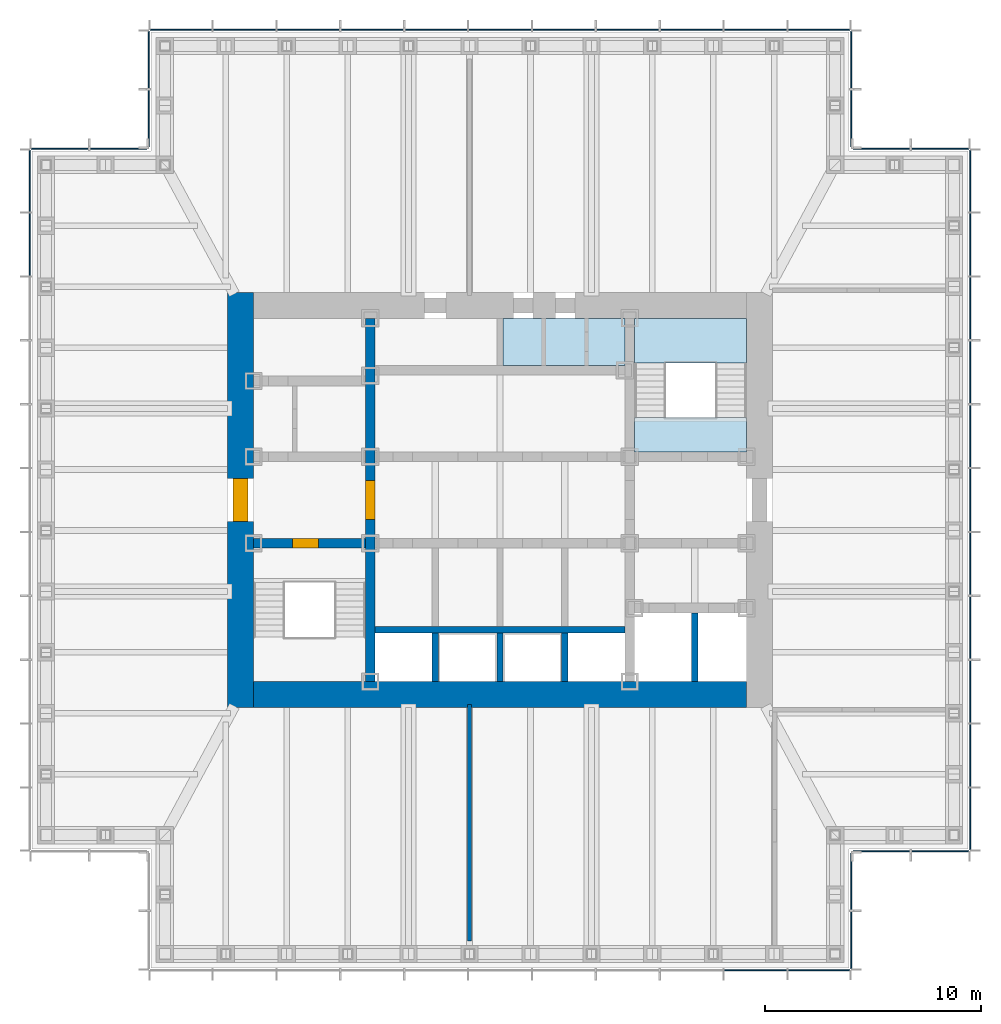
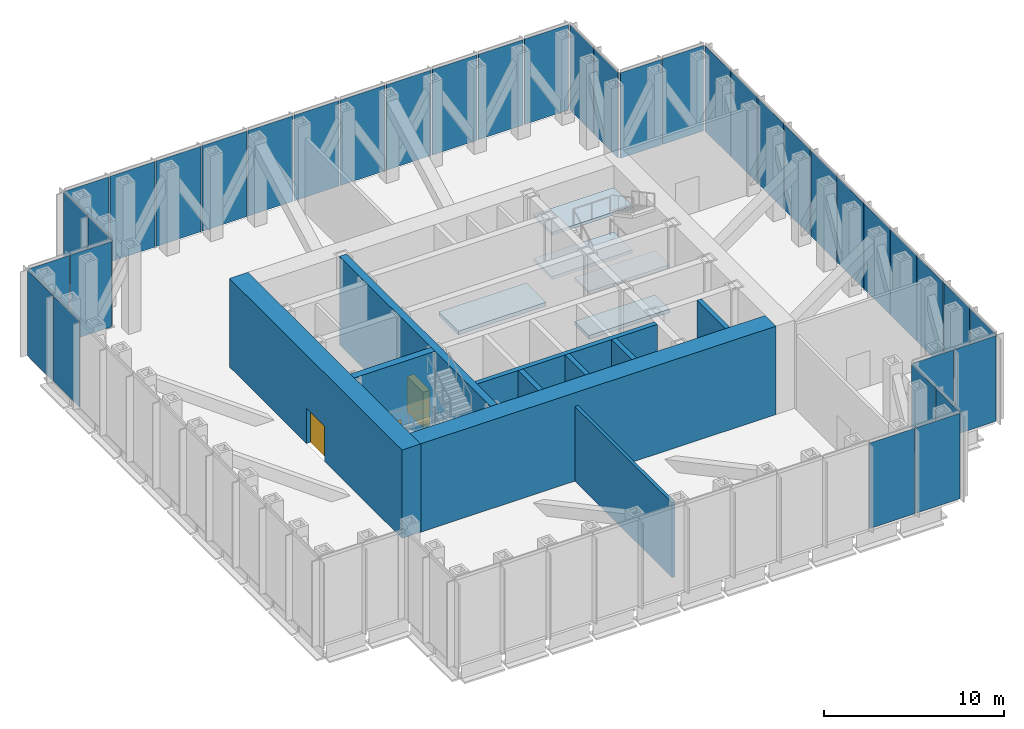
# One storey, part 6 of 12: 38 plates, 10 walls, 5 slabs, 3 doors, 3 openings, 11 elements without a shape of their own.
"""IFC4 building model written with IfcOpenShell, lengths in metres."""

from ifc_helpers import new_model, si_unit, direction, frame, frame_2d, origin, origin_2d, place, context, subcontext, project, spatial, polyline, rectangle, outline, extrude, material, layer, layer_set, type_object, element, fill, aggregate, save


model = new_model("IFC4")

# Units and contexts
model_context = context("Model", 3, precision=1e-05, world=origin(), true_north=direction((0.0, 1.0)))
body_context = subcontext(model_context, "Body", "Model", "MODEL_VIEW")
ifc_project = project(units=[si_unit("LENGTHUNIT", "METRE"), si_unit("AREAUNIT", "SQUARE_METRE"), si_unit("VOLUMEUNIT", "CUBIC_METRE"), si_unit("PLANEANGLEUNIT", "RADIAN"), si_unit("MASSUNIT", "GRAM", prefix="KILO")], contexts=[model_context])

# Site, building, storey
site_placement = place(None, origin())
site = spatial("IfcSite", under=ifc_project, at=site_placement, CompositionType="ELEMENT")
building_placement = place(site_placement, origin())
building = spatial("IfcBuilding", under=site, at=building_placement, Name="Daluyong Arena Tower", CompositionType="ELEMENT")
storey_placement = place(building_placement, frame((0.0, 0.0, 244.300048828125)))
storey = spatial("IfcBuildingStorey", under=building, at=storey_placement, Name="L55", CompositionType="ELEMENT", Elevation=244.300048828125)

# Curtain wall, plates
ifc_material_1 = material(Name="Bronze anodised aluminium and glass", Category="aluminium")
curtain_wall_type = type_object("IfcCurtainWallType", Name="Curtain wall CW6", PredefinedType="USERDEFINED", material=ifc_material_1)
curtain_wall_1_placement = place(storey_placement, origin())
curtain_wall_1 = element("IfcCurtainWall", 1, at=curtain_wall_1_placement, inside=storey, type_object=curtain_wall_type, Name="curtain wall L55 S", ObjectType="UNITISED CURTAIN WALL", PredefinedType="USERDEFINED")
ifc_material_2 = material(Name="Bronze aluminium louvre panel", Category="aluminium")
ifc_layer_1 = layer(ifc_material_2, 0.050048828125)
ifc_layer_set_1 = layer_set([ifc_layer_1], Name="Bronze aluminium louvre panel")
plate_type = type_object("IfcPlateType", Name="CW6 panel 50", PredefinedType="CURTAIN_PANEL", material=ifc_layer_set_1)
plate_1_placement = place(storey_placement, frame((67.818115234375, 58.25, 0.0), z_axis=(0.0, 0.0, 1.0), x_axis=(1.0, 0.0, 0.0)))
plate_1 = element("IfcPlate", 2, at=plate_1_placement, type_object=plate_type, Name="curtain wall L55 S panel 10", PredefinedType="CURTAIN_PANEL", context=body_context, shape_type="SweptSolid", body=[
    extrude(rectangle(XDim=2.87451171875, YDim=0.050048828125, at=origin_2d()), origin(), (0.0, 0.0, 1.0), 5.800048828125),
])
plate_2_placement = place(storey_placement, frame((70.752685546875, 58.25, 0.0), z_axis=(0.0, 0.0, 1.0), x_axis=(1.0, 0.0, 0.0)))
plate_2 = element("IfcPlate", 3, at=plate_2_placement, type_object=plate_type, Name="curtain wall L55 S panel 11", PredefinedType="CURTAIN_PANEL", context=body_context, shape_type="SweptSolid", body=[
    extrude(rectangle(XDim=2.83447265625, YDim=0.050048828125, at=origin_2d()), origin(), (0.0, 0.0, 1.0), 5.800048828125),
])
aggregate(curtain_wall_1, [plate_1, plate_2])

curtain_wall_2_placement = place(storey_placement, origin())
curtain_wall_2 = element("IfcCurtainWall", 4, at=curtain_wall_2_placement, inside=storey, type_object=curtain_wall_type, Name="curtain wall L55 SE-E", ObjectType="UNITISED CURTAIN WALL", PredefinedType="USERDEFINED")
plate_3_placement = place(storey_placement, frame((72.25, 59.64501953125, 0.0), z_axis=(0.0, 0.0, 1.0), x_axis=(0.0, 1.0, 0.0)))
plate_3 = element("IfcPlate", 5, at=plate_3_placement, type_object=plate_type, Name="curtain wall L55 SE-E panel 1", PredefinedType="CURTAIN_PANEL", context=body_context, shape_type="SweptSolid", body=[
    extrude(rectangle(XDim=2.6298828125, YDim=0.050048828125, at=origin_2d()), origin(), (0.0, 0.0, 1.0), 5.800048828125),
])
plate_4_placement = place(storey_placement, frame((72.25, 62.35498046875, 0.0), z_axis=(0.0, 0.0, 1.0), x_axis=(0.0, 1.0, 0.0)))
plate_4 = element("IfcPlate", 6, at=plate_4_placement, type_object=plate_type, Name="curtain wall L55 SE-E panel 2", PredefinedType="CURTAIN_PANEL", context=body_context, shape_type="SweptSolid", body=[
    extrude(rectangle(XDim=2.6298828125, YDim=0.050048828125, at=origin_2d()), origin(), (0.0, 0.0, 1.0), 5.800048828125),
])
aggregate(curtain_wall_2, [plate_3, plate_4])

curtain_wall_3_placement = place(storey_placement, origin())
curtain_wall_3 = element("IfcCurtainWall", 7, at=curtain_wall_3_placement, inside=storey, type_object=curtain_wall_type, Name="curtain wall L55 SE-S", ObjectType="UNITISED CURTAIN WALL", PredefinedType="USERDEFINED")
plate_5_placement = place(storey_placement, frame((73.64501953125, 63.75, 0.0), z_axis=(0.0, 0.0, 1.0), x_axis=(1.0, 0.0, 0.0)))
plate_5 = element("IfcPlate", 8, at=plate_5_placement, type_object=plate_type, Name="curtain wall L55 SE-S panel 1", PredefinedType="CURTAIN_PANEL", context=body_context, shape_type="SweptSolid", body=[
    extrude(rectangle(XDim=2.6298828125, YDim=0.050048828125, at=origin_2d()), origin(), (0.0, 0.0, 1.0), 5.800048828125),
])
plate_6_placement = place(storey_placement, frame((76.35498046875, 63.75, 0.0), z_axis=(0.0, 0.0, 1.0), x_axis=(1.0, 0.0, 0.0)))
plate_6 = element("IfcPlate", 9, at=plate_6_placement, type_object=plate_type, Name="curtain wall L55 SE-S panel 2", PredefinedType="CURTAIN_PANEL", context=body_context, shape_type="SweptSolid", body=[
    extrude(rectangle(XDim=2.6298828125, YDim=0.050048828125, at=origin_2d()), origin(), (0.0, 0.0, 1.0), 5.800048828125),
])
aggregate(curtain_wall_3, [plate_5, plate_6])

curtain_wall_4_placement = place(storey_placement, origin())
curtain_wall_4 = element("IfcCurtainWall", 10, at=curtain_wall_4_placement, inside=storey, type_object=curtain_wall_type, Name="curtain wall L55 E", ObjectType="UNITISED CURTAIN WALL", PredefinedType="USERDEFINED")
plate_7_placement = place(storey_placement, frame((77.75, 65.247314453125, 0.0), z_axis=(0.0, 0.0, 1.0), x_axis=(0.0, 1.0, 0.0)))
plate_7 = element("IfcPlate", 11, at=plate_7_placement, type_object=plate_type, Name="curtain wall L55 E panel 1", PredefinedType="CURTAIN_PANEL", context=body_context, shape_type="SweptSolid", body=[
    extrude(rectangle(XDim=2.83447265625, YDim=0.050048828125, at=origin_2d()), origin(), (0.0, 0.0, 1.0), 5.800048828125),
])
plate_8_placement = place(storey_placement, frame((77.75, 68.181884765625, 0.0), z_axis=(0.0, 0.0, 1.0), x_axis=(0.0, 1.0, 0.0)))
plate_8 = element("IfcPlate", 12, at=plate_8_placement, type_object=plate_type, Name="curtain wall L55 E panel 2", PredefinedType="CURTAIN_PANEL", context=body_context, shape_type="SweptSolid", body=[
    extrude(rectangle(XDim=2.87451171875, YDim=0.050048828125, at=origin_2d()), origin(), (0.0, 0.0, 1.0), 5.800048828125),
])
plate_9_placement = place(storey_placement, frame((77.75, 71.136474609375, 0.0), z_axis=(0.0, 0.0, 1.0), x_axis=(0.0, 1.0, 0.0)))
plate_9 = element("IfcPlate", 13, at=plate_9_placement, type_object=plate_type, Name="curtain wall L55 E panel 3", PredefinedType="CURTAIN_PANEL", context=body_context, shape_type="SweptSolid", body=[
    extrude(rectangle(XDim=2.87451171875, YDim=0.050048828125, at=origin_2d()), origin(), (0.0, 0.0, 1.0), 5.800048828125),
])
plate_10_placement = place(storey_placement, frame((77.75, 74.0908203125, 0.0), z_axis=(0.0, 0.0, 1.0), x_axis=(0.0, 1.0, 0.0)))
plate_10 = element("IfcPlate", 14, at=plate_10_placement, type_object=plate_type, Name="curtain wall L55 E panel 4", PredefinedType="CURTAIN_PANEL", context=body_context, shape_type="SweptSolid", body=[
    extrude(rectangle(XDim=2.87451171875, YDim=0.050048828125, at=origin_2d()), origin(), (0.0, 0.0, 1.0), 5.800048828125),
])
plate_11_placement = place(storey_placement, frame((77.75, 77.04541015625, 0.0), z_axis=(0.0, 0.0, 1.0), x_axis=(0.0, 1.0, 0.0)))
plate_11 = element("IfcPlate", 15, at=plate_11_placement, type_object=plate_type, Name="curtain wall L55 E panel 5", PredefinedType="CURTAIN_PANEL", context=body_context, shape_type="SweptSolid", body=[
    extrude(rectangle(XDim=2.87451171875, YDim=0.050048828125, at=origin_2d()), origin(), (0.0, 0.0, 1.0), 5.800048828125),
])
plate_12_placement = place(storey_placement, frame((77.75, 80.0, 0.0), z_axis=(0.0, 0.0, 1.0), x_axis=(0.0, 1.0, 0.0)))
plate_12 = element("IfcPlate", 16, at=plate_12_placement, type_object=plate_type, Name="curtain wall L55 E panel 6", PredefinedType="CURTAIN_PANEL", context=body_context, shape_type="SweptSolid", body=[
    extrude(rectangle(XDim=2.87451171875, YDim=0.050048828125, at=origin_2d()), origin(), (0.0, 0.0, 1.0), 5.800048828125),
])
plate_13_placement = place(storey_placement, frame((77.75, 82.95458984375, 0.0), z_axis=(0.0, 0.0, 1.0), x_axis=(0.0, 1.0, 0.0)))
plate_13 = element("IfcPlate", 17, at=plate_13_placement, type_object=plate_type, Name="curtain wall L55 E panel 7", PredefinedType="CURTAIN_PANEL", context=body_context, shape_type="SweptSolid", body=[
    extrude(rectangle(XDim=2.87451171875, YDim=0.050048828125, at=origin_2d()), origin(), (0.0, 0.0, 1.0), 5.800048828125),
])
plate_14_placement = place(storey_placement, frame((77.75, 85.9091796875, 0.0), z_axis=(0.0, 0.0, 1.0), x_axis=(0.0, 1.0, 0.0)))
plate_14 = element("IfcPlate", 18, at=plate_14_placement, type_object=plate_type, Name="curtain wall L55 E panel 8", PredefinedType="CURTAIN_PANEL", context=body_context, shape_type="SweptSolid", body=[
    extrude(rectangle(XDim=2.87451171875, YDim=0.050048828125, at=origin_2d()), origin(), (0.0, 0.0, 1.0), 5.800048828125),
])
plate_15_placement = place(storey_placement, frame((77.75, 88.863525390625, 0.0), z_axis=(0.0, 0.0, 1.0), x_axis=(0.0, 1.0, 0.0)))
plate_15 = element("IfcPlate", 19, at=plate_15_placement, type_object=plate_type, Name="curtain wall L55 E panel 9", PredefinedType="CURTAIN_PANEL", context=body_context, shape_type="SweptSolid", body=[
    extrude(rectangle(XDim=2.87451171875, YDim=0.050048828125, at=origin_2d()), origin(), (0.0, 0.0, 1.0), 5.800048828125),
])
plate_16_placement = place(storey_placement, frame((77.75, 91.818115234375, 0.0), z_axis=(0.0, 0.0, 1.0), x_axis=(0.0, 1.0, 0.0)))
plate_16 = element("IfcPlate", 20, at=plate_16_placement, type_object=plate_type, Name="curtain wall L55 E panel 10", PredefinedType="CURTAIN_PANEL", context=body_context, shape_type="SweptSolid", body=[
    extrude(rectangle(XDim=2.87451171875, YDim=0.050048828125, at=origin_2d()), origin(), (0.0, 0.0, 1.0), 5.800048828125),
])
plate_17_placement = place(storey_placement, frame((77.75, 94.752685546875, 0.0), z_axis=(0.0, 0.0, 1.0), x_axis=(0.0, 1.0, 0.0)))
plate_17 = element("IfcPlate", 21, at=plate_17_placement, type_object=plate_type, Name="curtain wall L55 E panel 11", PredefinedType="CURTAIN_PANEL", context=body_context, shape_type="SweptSolid", body=[
    extrude(rectangle(XDim=2.83447265625, YDim=0.050048828125, at=origin_2d()), origin(), (0.0, 0.0, 1.0), 5.800048828125),
])
aggregate(curtain_wall_4, [plate_7, plate_8, plate_9, plate_10, plate_11, plate_12, plate_13, plate_14, plate_15, plate_16, plate_17])

curtain_wall_5_placement = place(storey_placement, origin())
curtain_wall_5 = element("IfcCurtainWall", 22, at=curtain_wall_5_placement, inside=storey, type_object=curtain_wall_type, Name="curtain wall L55 NE-N", ObjectType="UNITISED CURTAIN WALL", PredefinedType="USERDEFINED")
plate_18_placement = place(storey_placement, frame((76.35498046875, 96.25, 0.0), z_axis=(0.0, 0.0, 1.0), x_axis=(-1.0, 0.0, 0.0)))
plate_18 = element("IfcPlate", 23, at=plate_18_placement, type_object=plate_type, Name="curtain wall L55 NE-N panel 1", PredefinedType="CURTAIN_PANEL", context=body_context, shape_type="SweptSolid", body=[
    extrude(rectangle(XDim=2.6298828125, YDim=0.050048828125, at=origin_2d()), origin(), (0.0, 0.0, 1.0), 5.800048828125),
])
plate_19_placement = place(storey_placement, frame((73.64501953125, 96.25, 0.0), z_axis=(0.0, 0.0, 1.0), x_axis=(-1.0, 0.0, 0.0)))
plate_19 = element("IfcPlate", 24, at=plate_19_placement, type_object=plate_type, Name="curtain wall L55 NE-N panel 2", PredefinedType="CURTAIN_PANEL", context=body_context, shape_type="SweptSolid", body=[
    extrude(rectangle(XDim=2.6298828125, YDim=0.050048828125, at=origin_2d()), origin(), (0.0, 0.0, 1.0), 5.800048828125),
])
aggregate(curtain_wall_5, [plate_18, plate_19])

curtain_wall_6_placement = place(storey_placement, origin())
curtain_wall_6 = element("IfcCurtainWall", 25, at=curtain_wall_6_placement, inside=storey, type_object=curtain_wall_type, Name="curtain wall L55 NE-E", ObjectType="UNITISED CURTAIN WALL", PredefinedType="USERDEFINED")
plate_20_placement = place(storey_placement, frame((72.25, 97.64501953125, 0.0), z_axis=(0.0, 0.0, 1.0), x_axis=(0.0, 1.0, 0.0)))
plate_20 = element("IfcPlate", 26, at=plate_20_placement, type_object=plate_type, Name="curtain wall L55 NE-E panel 1", PredefinedType="CURTAIN_PANEL", context=body_context, shape_type="SweptSolid", body=[
    extrude(rectangle(XDim=2.6298828125, YDim=0.050048828125, at=origin_2d()), origin(), (0.0, 0.0, 1.0), 5.800048828125),
])
plate_21_placement = place(storey_placement, frame((72.25, 100.35498046875, 0.0), z_axis=(0.0, 0.0, 1.0), x_axis=(0.0, 1.0, 0.0)))
plate_21 = element("IfcPlate", 27, at=plate_21_placement, type_object=plate_type, Name="curtain wall L55 NE-E panel 2", PredefinedType="CURTAIN_PANEL", context=body_context, shape_type="SweptSolid", body=[
    extrude(rectangle(XDim=2.6298828125, YDim=0.050048828125, at=origin_2d()), origin(), (0.0, 0.0, 1.0), 5.800048828125),
])
aggregate(curtain_wall_6, [plate_20, plate_21])

curtain_wall_7_placement = place(storey_placement, origin())
curtain_wall_7 = element("IfcCurtainWall", 28, at=curtain_wall_7_placement, inside=storey, type_object=curtain_wall_type, Name="curtain wall L55 N", ObjectType="UNITISED CURTAIN WALL", PredefinedType="USERDEFINED")
plate_22_placement = place(storey_placement, frame((70.752685546875, 101.75, 0.0), z_axis=(0.0, 0.0, 1.0), x_axis=(-1.0, 0.0, 0.0)))
plate_22 = element("IfcPlate", 29, at=plate_22_placement, type_object=plate_type, Name="curtain wall L55 N panel 1", PredefinedType="CURTAIN_PANEL", context=body_context, shape_type="SweptSolid", body=[
    extrude(rectangle(XDim=2.83447265625, YDim=0.050048828125, at=origin_2d()), origin(), (0.0, 0.0, 1.0), 5.800048828125),
])
plate_23_placement = place(storey_placement, frame((67.818115234375, 101.75, 0.0), z_axis=(0.0, 0.0, 1.0), x_axis=(-1.0, 0.0, 0.0)))
plate_23 = element("IfcPlate", 30, at=plate_23_placement, type_object=plate_type, Name="curtain wall L55 N panel 2", PredefinedType="CURTAIN_PANEL", context=body_context, shape_type="SweptSolid", body=[
    extrude(rectangle(XDim=2.87451171875, YDim=0.050048828125, at=origin_2d()), origin(), (0.0, 0.0, 1.0), 5.800048828125),
])
plate_24_placement = place(storey_placement, frame((64.863525390625, 101.75, 0.0), z_axis=(0.0, 0.0, 1.0), x_axis=(-1.0, 0.0, 0.0)))
plate_24 = element("IfcPlate", 31, at=plate_24_placement, type_object=plate_type, Name="curtain wall L55 N panel 3", PredefinedType="CURTAIN_PANEL", context=body_context, shape_type="SweptSolid", body=[
    extrude(rectangle(XDim=2.87451171875, YDim=0.050048828125, at=origin_2d()), origin(), (0.0, 0.0, 1.0), 5.800048828125),
])
plate_25_placement = place(storey_placement, frame((61.9091796875, 101.75, 0.0), z_axis=(0.0, 0.0, 1.0), x_axis=(-1.0, 0.0, 0.0)))
plate_25 = element("IfcPlate", 32, at=plate_25_placement, type_object=plate_type, Name="curtain wall L55 N panel 4", PredefinedType="CURTAIN_PANEL", context=body_context, shape_type="SweptSolid", body=[
    extrude(rectangle(XDim=2.87451171875, YDim=0.050048828125, at=origin_2d()), origin(), (0.0, 0.0, 1.0), 5.800048828125),
])
plate_26_placement = place(storey_placement, frame((58.95458984375, 101.75, 0.0), z_axis=(0.0, 0.0, 1.0), x_axis=(-1.0, 0.0, 0.0)))
plate_26 = element("IfcPlate", 33, at=plate_26_placement, type_object=plate_type, Name="curtain wall L55 N panel 5", PredefinedType="CURTAIN_PANEL", context=body_context, shape_type="SweptSolid", body=[
    extrude(rectangle(XDim=2.87451171875, YDim=0.050048828125, at=origin_2d()), origin(), (0.0, 0.0, 1.0), 5.800048828125),
])
plate_27_placement = place(storey_placement, frame((56.0, 101.75, 0.0), z_axis=(0.0, 0.0, 1.0), x_axis=(-1.0, 0.0, 0.0)))
plate_27 = element("IfcPlate", 34, at=plate_27_placement, type_object=plate_type, Name="curtain wall L55 N panel 6", PredefinedType="CURTAIN_PANEL", context=body_context, shape_type="SweptSolid", body=[
    extrude(rectangle(XDim=2.87451171875, YDim=0.050048828125, at=origin_2d()), origin(), (0.0, 0.0, 1.0), 5.800048828125),
])
plate_28_placement = place(storey_placement, frame((53.04541015625, 101.75, 0.0), z_axis=(0.0, 0.0, 1.0), x_axis=(-1.0, 0.0, 0.0)))
plate_28 = element("IfcPlate", 35, at=plate_28_placement, type_object=plate_type, Name="curtain wall L55 N panel 7", PredefinedType="CURTAIN_PANEL", context=body_context, shape_type="SweptSolid", body=[
    extrude(rectangle(XDim=2.87451171875, YDim=0.050048828125, at=origin_2d()), origin(), (0.0, 0.0, 1.0), 5.800048828125),
])
plate_29_placement = place(storey_placement, frame((50.0908203125, 101.75, 0.0), z_axis=(0.0, 0.0, 1.0), x_axis=(-1.0, 0.0, 0.0)))
plate_29 = element("IfcPlate", 36, at=plate_29_placement, type_object=plate_type, Name="curtain wall L55 N panel 8", PredefinedType="CURTAIN_PANEL", context=body_context, shape_type="SweptSolid", body=[
    extrude(rectangle(XDim=2.87451171875, YDim=0.050048828125, at=origin_2d()), origin(), (0.0, 0.0, 1.0), 5.800048828125),
])
plate_30_placement = place(storey_placement, frame((47.136474609375, 101.75, 0.0), z_axis=(0.0, 0.0, 1.0), x_axis=(-1.0, 0.0, 0.0)))
plate_30 = element("IfcPlate", 37, at=plate_30_placement, type_object=plate_type, Name="curtain wall L55 N panel 9", PredefinedType="CURTAIN_PANEL", context=body_context, shape_type="SweptSolid", body=[
    extrude(rectangle(XDim=2.87451171875, YDim=0.050048828125, at=origin_2d()), origin(), (0.0, 0.0, 1.0), 5.800048828125),
])
plate_31_placement = place(storey_placement, frame((44.181884765625, 101.75, 0.0), z_axis=(0.0, 0.0, 1.0), x_axis=(-1.0, 0.0, 0.0)))
plate_31 = element("IfcPlate", 38, at=plate_31_placement, type_object=plate_type, Name="curtain wall L55 N panel 10", PredefinedType="CURTAIN_PANEL", context=body_context, shape_type="SweptSolid", body=[
    extrude(rectangle(XDim=2.87451171875, YDim=0.050048828125, at=origin_2d()), origin(), (0.0, 0.0, 1.0), 5.800048828125),
])
plate_32_placement = place(storey_placement, frame((41.247314453125, 101.75, 0.0), z_axis=(0.0, 0.0, 1.0), x_axis=(-1.0, 0.0, 0.0)))
plate_32 = element("IfcPlate", 39, at=plate_32_placement, type_object=plate_type, Name="curtain wall L55 N panel 11", PredefinedType="CURTAIN_PANEL", context=body_context, shape_type="SweptSolid", body=[
    extrude(rectangle(XDim=2.83447265625, YDim=0.050048828125, at=origin_2d()), origin(), (0.0, 0.0, 1.0), 5.800048828125),
])
aggregate(curtain_wall_7, [plate_22, plate_23, plate_24, plate_25, plate_26, plate_27, plate_28, plate_29, plate_30, plate_31, plate_32])

curtain_wall_8_placement = place(storey_placement, origin())
curtain_wall_8 = element("IfcCurtainWall", 40, at=curtain_wall_8_placement, inside=storey, type_object=curtain_wall_type, Name="curtain wall L55 NW-W", ObjectType="UNITISED CURTAIN WALL", PredefinedType="USERDEFINED")
plate_33_placement = place(storey_placement, frame((39.75, 100.35498046875, 0.0), z_axis=(0.0, 0.0, 1.0), x_axis=(0.0, -1.0, 0.0)))
plate_33 = element("IfcPlate", 41, at=plate_33_placement, type_object=plate_type, Name="curtain wall L55 NW-W panel 1", PredefinedType="CURTAIN_PANEL", context=body_context, shape_type="SweptSolid", body=[
    extrude(rectangle(XDim=2.6298828125, YDim=0.050048828125, at=origin_2d()), origin(), (0.0, 0.0, 1.0), 5.800048828125),
])
plate_34_placement = place(storey_placement, frame((39.75, 97.64501953125, 0.0), z_axis=(0.0, 0.0, 1.0), x_axis=(0.0, -1.0, 0.0)))
plate_34 = element("IfcPlate", 42, at=plate_34_placement, type_object=plate_type, Name="curtain wall L55 NW-W panel 2", PredefinedType="CURTAIN_PANEL", context=body_context, shape_type="SweptSolid", body=[
    extrude(rectangle(XDim=2.6298828125, YDim=0.050048828125, at=origin_2d()), origin(), (0.0, 0.0, 1.0), 5.800048828125),
])
aggregate(curtain_wall_8, [plate_33, plate_34])

curtain_wall_9_placement = place(storey_placement, origin())
curtain_wall_9 = element("IfcCurtainWall", 43, at=curtain_wall_9_placement, inside=storey, type_object=curtain_wall_type, Name="curtain wall L55 NW-N", ObjectType="UNITISED CURTAIN WALL", PredefinedType="USERDEFINED")
plate_35_placement = place(storey_placement, frame((38.35498046875, 96.25, 0.0), z_axis=(0.0, 0.0, 1.0), x_axis=(-1.0, 0.0, 0.0)))
plate_35 = element("IfcPlate", 44, at=plate_35_placement, type_object=plate_type, Name="curtain wall L55 NW-N panel 1", PredefinedType="CURTAIN_PANEL", context=body_context, shape_type="SweptSolid", body=[
    extrude(rectangle(XDim=2.6298828125, YDim=0.050048828125, at=origin_2d()), origin(), (0.0, 0.0, 1.0), 5.800048828125),
])
plate_36_placement = place(storey_placement, frame((35.64501953125, 96.25, 0.0), z_axis=(0.0, 0.0, 1.0), x_axis=(-1.0, 0.0, 0.0)))
plate_36 = element("IfcPlate", 45, at=plate_36_placement, type_object=plate_type, Name="curtain wall L55 NW-N panel 2", PredefinedType="CURTAIN_PANEL", context=body_context, shape_type="SweptSolid", body=[
    extrude(rectangle(XDim=2.6298828125, YDim=0.050048828125, at=origin_2d()), origin(), (0.0, 0.0, 1.0), 5.800048828125),
])
aggregate(curtain_wall_9, [plate_35, plate_36])

curtain_wall_10_placement = place(storey_placement, origin())
curtain_wall_10 = element("IfcCurtainWall", 46, at=curtain_wall_10_placement, inside=storey, type_object=curtain_wall_type, Name="curtain wall L55 W", ObjectType="UNITISED CURTAIN WALL", PredefinedType="USERDEFINED")
plate_37_placement = place(storey_placement, frame((34.25, 94.752685546875, 0.0), z_axis=(0.0, 0.0, 1.0), x_axis=(0.0, -1.0, 0.0)))
plate_37 = element("IfcPlate", 47, at=plate_37_placement, type_object=plate_type, Name="curtain wall L55 W panel 1", PredefinedType="CURTAIN_PANEL", context=body_context, shape_type="SweptSolid", body=[
    extrude(rectangle(XDim=2.83447265625, YDim=0.050048828125, at=origin_2d()), origin(), (0.0, 0.0, 1.0), 5.800048828125),
])
plate_38_placement = place(storey_placement, frame((34.25, 91.818115234375, 0.0), z_axis=(0.0, 0.0, 1.0), x_axis=(0.0, -1.0, 0.0)))
plate_38 = element("IfcPlate", 48, at=plate_38_placement, type_object=plate_type, Name="curtain wall L55 W panel 2", PredefinedType="CURTAIN_PANEL", context=body_context, shape_type="SweptSolid", body=[
    extrude(rectangle(XDim=2.87451171875, YDim=0.050048828125, at=origin_2d()), origin(), (0.0, 0.0, 1.0), 5.800048828125),
])
aggregate(curtain_wall_10, [plate_37, plate_38])

# Slabs
ifc_material_3 = material(Name="Concrete fc' 35 MPa", Category="concrete")
ifc_layer_2 = layer(ifc_material_3, 0.25)
ifc_layer_set_2 = layer_set([ifc_layer_2], Name="Concrete fc' 35 MPa")
slab_type_1 = type_object("IfcSlabType", Name="Plant floor slab 250", PredefinedType="FLOOR", material=ifc_layer_set_2)
slab_1_placement = place(storey_placement, frame((0.0, 0.0, -0.25)))
element("IfcSlab", 49, at=slab_1_placement, inside=storey, type_object=slab_type_1, Name="floor L55 part 14", PredefinedType="FLOOR", context=body_context, shape_type="SweptSolid", body=[
    extrude(outline(polyline([(56.14990234375, 88.39990234375), (56.14990234375, 86.22509765625), (61.77490234375, 86.22509765625), (61.77490234375, 88.39990234375), (56.14990234375, 88.39990234375)])), origin(), (0.0, 0.0, 1.0), 0.25),
])
slab_2_placement = place(storey_placement, frame((0.0, 0.0, -0.25)))
element("IfcSlab", 50, at=slab_2_placement, inside=storey, type_object=slab_type_1, Name="floor L55 part 18", PredefinedType="FLOOR", context=body_context, shape_type="SweptSolid", body=[
    extrude(outline(polyline([(67.39990234375, 83.824951171875), (62.22509765625, 83.824951171875), (62.22509765625, 82.22509765625), (67.39990234375, 82.22509765625), (67.39990234375, 83.824951171875)])), origin(), (0.0, 0.0, 1.0), 0.25),
])

# Stair, slabs
ifc_material_4 = material(Name="Concrete fc' 35 MPa", Category="concrete")
stair_type = type_object("IfcStairType", Name="Core exit stair", PredefinedType="HALF_TURN_STAIR", material=ifc_material_4)
stair_placement = place(storey_placement, origin())
stair = element("IfcStair", 51, at=stair_placement, inside=storey, type_object=stair_type, Name="exit stair B L55", PredefinedType="HALF_TURN_STAIR")
ifc_material_5 = material(Name="Concrete fc' 35 MPa", Category="concrete")
ifc_layer_3 = layer(ifc_material_5, 0.199951171875)
ifc_layer_set_3 = layer_set([ifc_layer_3], Name="Concrete fc' 35 MPa")
slab_type_2 = type_object("IfcSlabType", Name="Stair landing 200", PredefinedType="LANDING", material=ifc_layer_set_3)
slab_3_placement = place(storey_placement, frame((0.0, 0.0, 1.300048828125)))
slab_3 = element("IfcSlab", 52, at=slab_3_placement, type_object=slab_type_2, Name="STB landing 1", PredefinedType="LANDING", context=body_context, shape_type="SweptSolid", body=[
    extrude(outline(polyline([(62.22509765625, 86.344970703125), (67.39990234375, 86.344970703125), (67.39990234375, 88.39990234375), (62.22509765625, 88.39990234375), (62.22509765625, 86.344970703125)])), origin(), (0.0, 0.0, 1.0), 0.199951171875),
])
slab_4_placement = place(storey_placement, frame((0.0, 0.0, 2.800048828125)))
slab_4 = element("IfcSlab", 53, at=slab_4_placement, type_object=slab_type_2, Name="STB landing 2", PredefinedType="LANDING", context=body_context, shape_type="SweptSolid", body=[
    extrude(outline(polyline([(62.22509765625, 82.22509765625), (67.39990234375, 82.22509765625), (67.39990234375, 83.824951171875), (62.22509765625, 83.824951171875), (62.22509765625, 82.22509765625)])), origin(), (0.0, 0.0, 1.0), 0.199951171875),
])
slab_5_placement = place(storey_placement, frame((0.0, 0.0, 4.300048828125)))
slab_5 = element("IfcSlab", 54, at=slab_5_placement, type_object=slab_type_2, Name="STB landing 3", PredefinedType="LANDING", context=body_context, shape_type="SweptSolid", body=[
    extrude(outline(polyline([(62.22509765625, 86.344970703125), (67.39990234375, 86.344970703125), (67.39990234375, 88.39990234375), (62.22509765625, 88.39990234375), (62.22509765625, 86.344970703125)])), origin(), (0.0, 0.0, 1.0), 0.199951171875),
])
aggregate(stair, [slab_3, slab_4, slab_5])

# Wall, opening, door
ifc_material_6 = material(Name="Concrete fc' 45 MPa", Category="concrete")
ifc_layer_4 = layer(ifc_material_6, 0.449951171875)
ifc_layer_set_4 = layer_set([ifc_layer_4], Name="Concrete fc' 45 MPa")
wall_type_1 = type_object("IfcWallType", Name="Core inner wall 450", PredefinedType="SHEAR", material=ifc_layer_set_4)
wall_1_placement = place(storey_placement, frame((50.0, 71.60009765625, 0.0), z_axis=(0.0, 0.0, 1.0), x_axis=(0.0, 1.0, 0.0)))
wall_1 = element("IfcWall", 55, at=wall_1_placement, inside=storey, type_object=wall_type_1, Name="core inner wall at L55", PredefinedType="SHEAR", context=body_context, shape_type="SweptSolid", body=[
    extrude(rectangle(XDim=16.7998046875, YDim=0.449951171875, at=frame_2d((8.39990234375, 0.0))), origin(), (0.0, 0.0, 1.0), 6.0),
])
opening_1_placement = place(wall_1_placement, frame((7.5, 0.0, 0.0)))
opening_1 = element("IfcOpeningElement", 56, at=opening_1_placement, cuts=wall_1, Name="Opening 55020", PredefinedType="OPENING", context=body_context, shape_type="SweptSolid", body=[
    extrude(rectangle(XDim=1.800048828125, YDim=2.39990234375, at=frame_2d((0.89990234375, 1.199951171875))), frame((0.0, 0.23486328125, 0.0), z_axis=(0.0, -1.0, 0.0), x_axis=(1.0, 0.0, 0.0)), (0.0, 0.0, 1.0), 0.469970703125),
])
ifc_material_7 = material(Name="Steel door, fire rated", Category="steel")
door_type_1 = type_object("IfcDoorType", Name="Lift lobby opening door 1800", OperationType="DOUBLE_DOOR_SINGLE_SWING", PredefinedType="DOOR", material=ifc_material_7)
door_1_placement = place(opening_1_placement, origin())
door_1 = element("IfcDoor", 57, at=door_1_placement, inside=storey, type_object=door_type_1, Name="lift lobby door west 55020", OperationType="DOUBLE_DOOR_SINGLE_SWING", OverallHeight=2.39990234375, OverallWidth=1.800048828125, PredefinedType="DOOR", context=body_context, shape_type="SweptSolid", body=[
    extrude(rectangle(XDim=1.800048828125, YDim=2.39990234375, at=frame_2d((0.89990234375, 1.199951171875))), frame((0.0, 0.224609375, 0.0), z_axis=(0.0, -1.0, 0.0), x_axis=(1.0, 0.0, 0.0)), (0.0, 0.0, 1.0), 0.449462890625),
])
fill(opening_1, door_1)

wall_2_placement = place(storey_placement, frame((44.60009765625, 78.0, 0.0), z_axis=(0.0, 0.0, 1.0), x_axis=(1.0, 0.0, 0.0)))
wall_2 = element("IfcWall", 58, at=wall_2_placement, inside=storey, type_object=wall_type_1, Name="core inner wall at L55", PredefinedType="SHEAR", context=body_context, shape_type="SweptSolid", body=[
    extrude(rectangle(XDim=5.1748046875, YDim=0.449951171875, at=frame_2d((2.58740234375, 0.0))), origin(), (0.0, 0.0, 1.0), 6.0),
])
opening_2_placement = place(wall_2_placement, frame((1.800048828125, 0.0, 0.0)))
opening_2 = element("IfcOpeningElement", 59, at=opening_2_placement, cuts=wall_2, Name="Opening 55016", PredefinedType="OPENING", context=body_context, shape_type="SweptSolid", body=[
    extrude(rectangle(XDim=1.199951171875, YDim=2.10009765625, at=frame_2d((0.60009765625, 1.050048828125))), frame((0.0, 0.23486328125, 0.0), z_axis=(0.0, -1.0, 0.0), x_axis=(1.0, 0.0, 0.0)), (0.0, 0.0, 1.0), 0.469970703125),
])
ifc_material_8 = material(Name="Steel door, fire rated", Category="steel")
door_type_2 = type_object("IfcDoorType", Name="Stair door 1200", OperationType="SINGLE_SWING_LEFT", PredefinedType="DOOR", material=ifc_material_8)
door_2_placement = place(opening_2_placement, origin())
door_2 = element("IfcDoor", 60, at=door_2_placement, inside=storey, type_object=door_type_2, Name="stair A door 55016", OperationType="SINGLE_SWING_LEFT", OverallHeight=2.10009765625, OverallWidth=1.199951171875, PredefinedType="DOOR", context=body_context, shape_type="SweptSolid", body=[
    extrude(rectangle(XDim=1.199951171875, YDim=2.10009765625, at=frame_2d((0.60009765625, 1.050048828125))), frame((0.0, 0.224609375, 0.0), z_axis=(0.0, -1.0, 0.0), x_axis=(1.0, 0.0, 0.0)), (0.0, 0.0, 1.0), 0.449462890625),
])
fill(opening_2, door_2)

ifc_material_9 = material(Name="Concrete fc' 60 MPa", Category="concrete")
ifc_layer_5 = layer(ifc_material_9, 1.199951171875)
ifc_layer_set_5 = layer_set([ifc_layer_5], Name="Concrete fc' 60 MPa")
wall_type_2 = type_object("IfcWallType", Name="Core wall 1200", PredefinedType="SHEAR", material=ifc_layer_set_5)
wall_3_placement = place(storey_placement, frame((44.0, 70.39990234375, 0.0), z_axis=(0.0, 0.0, 1.0), x_axis=(0.0, 1.0, 0.0)))
wall_3 = element("IfcWall", 61, at=wall_3_placement, inside=storey, type_object=wall_type_2, Name="core wall at L55", PredefinedType="SHEAR", context=body_context, shape_type="SweptSolid", body=[
    extrude(rectangle(XDim=19.2001953125, YDim=1.199951171875, at=frame_2d((9.60009765625, 0.0))), origin(), (0.0, 0.0, 1.0), 6.0),
])
opening_3_placement = place(wall_3_placement, frame((8.60009765625, 0.0, 0.0)))
opening_3 = element("IfcOpeningElement", 62, at=opening_3_placement, cuts=wall_3, Name="Opening 55018", PredefinedType="OPENING", context=body_context, shape_type="SweptSolid", body=[
    extrude(rectangle(XDim=2.0, YDim=2.39990234375, at=frame_2d((1.0, 1.199951171875))), frame((0.0, 0.60986328125, 0.0), z_axis=(0.0, -1.0, 0.0), x_axis=(1.0, 0.0, 0.0)), (0.0, 0.0, 1.0), 1.219970703125),
])
ifc_material_10 = material(Name="Steel door, fire rated", Category="steel")
door_type_3 = type_object("IfcDoorType", Name="Core lobby double door 2000", OperationType="DOUBLE_DOOR_SINGLE_SWING", PredefinedType="DOOR", material=ifc_material_10)
door_3_placement = place(opening_3_placement, origin())
door_3 = element("IfcDoor", 63, at=door_3_placement, inside=storey, type_object=door_type_3, Name="refuge area door 55018", OperationType="DOUBLE_DOOR_SINGLE_SWING", OverallHeight=2.39990234375, OverallWidth=2.0, PredefinedType="DOOR", context=body_context, shape_type="SweptSolid", body=[
    extrude(rectangle(XDim=2.0, YDim=2.39990234375, at=frame_2d((1.0, 1.199951171875))), frame((0.0, 0.35009765625, 0.0), z_axis=(0.0, -1.0, 0.0), x_axis=(1.0, 0.0, 0.0)), (0.0, 0.0, 1.0), 0.699951171875),
])
fill(opening_3, door_3)

# Walls
wall_4_placement = place(storey_placement, frame((44.60009765625, 71.0, 0.0), z_axis=(0.0, 0.0, 1.0), x_axis=(1.0, 0.0, 0.0)))
element("IfcWall", 64, at=wall_4_placement, inside=storey, type_object=wall_type_2, Name="core wall at L55", PredefinedType="SHEAR", context=body_context, shape_type="SweptSolid", body=[
    extrude(rectangle(XDim=22.7998046875, YDim=1.199951171875, at=frame_2d((11.39990234375, 0.0))), origin(), (0.0, 0.0, 1.0), 6.0),
])
ifc_material_11 = material(Name="Concrete block partition, fire rated", Category="concrete")
ifc_layer_6 = layer(ifc_material_11, 0.199951171875)
ifc_layer_set_6 = layer_set([ifc_layer_6], Name="Concrete block partition, fire rated")
wall_type_3 = type_object("IfcWallType", Name="Fire-rated partition 200", PredefinedType="PARTITIONING", material=ifc_layer_set_6)
wall_5_placement = place(storey_placement, frame((54.5908203125, 59.60009765625, 0.0), z_axis=(0.0, 0.0, 1.0), x_axis=(0.0, 1.0, 0.0)))
element("IfcWall", 65, at=wall_5_placement, inside=storey, type_object=wall_type_3, Name="refuge separation wall at L55", PredefinedType="PARTITIONING", context=body_context, shape_type="SweptSolid", body=[
    extrude(rectangle(XDim=10.949951171875, YDim=0.199951171875, at=frame_2d((5.47509765625, 0.0))), origin(), (0.0, 0.0, 1.0), 5.077880859375),
])
ifc_material_12 = material(Name="Concrete fc' 45 MPa", Category="concrete")
ifc_layer_7 = layer(ifc_material_12, 0.300048828125)
ifc_layer_set_7 = layer_set([ifc_layer_7], Name="Concrete fc' 45 MPa")
wall_type_4 = type_object("IfcWallType", Name="Lift shaft wall 300", PredefinedType="SHEAR", material=ifc_layer_set_7)
wall_6_placement = place(storey_placement, frame((50.22509765625, 74.0, 0.0), z_axis=(0.0, 0.0, 1.0), x_axis=(1.0, 0.0, 0.0)))
element("IfcWall", 66, at=wall_6_placement, inside=storey, type_object=wall_type_4, Name="lift shaft wall at L55", PredefinedType="SHEAR", context=body_context, shape_type="SweptSolid", body=[
    extrude(rectangle(XDim=11.5498046875, YDim=0.300048828125, at=frame_2d((5.77490234375, 0.0))), origin(), (0.0, 0.0, 1.0), 6.0),
])
for number, where, z_axis, x_axis, name in (
    (67, (53.0, 71.60009765625, 0.0), (0.0, 0.0, 1.0), (0.0, 1.0, 0.0), "lift shaft wall at L55"),
    (68, (56.0, 71.60009765625, 0.0), (0.0, 0.0, 1.0), (0.0, 1.0, 0.0), "lift shaft wall at L55"),
    (69, (59.0, 71.60009765625, 0.0), (0.0, 0.0, 1.0), (0.0, 1.0, 0.0), "lift shaft wall at L55"),
):
    element("IfcWall", number, at=place(storey_placement, frame(where, z_axis=z_axis, x_axis=x_axis)), inside=storey, type_object=wall_type_4, Name=name, PredefinedType="SHEAR", context=body_context, shape_type="SweptSolid", body=[
        extrude(rectangle(XDim=2.25, YDim=0.300048828125, at=frame_2d((1.125, 0.0))), origin(), (0.0, 0.0, 1.0), 6.0),
    ])
wall_7_placement = place(storey_placement, frame((65.0, 71.60009765625, 0.0), z_axis=(0.0, 0.0, 1.0), x_axis=(0.0, 1.0, 0.0)))
element("IfcWall", 70, at=wall_7_placement, inside=storey, type_object=wall_type_4, Name="lift shaft wall at L55", PredefinedType="SHEAR", context=body_context, shape_type="SweptSolid", body=[
    extrude(rectangle(XDim=3.1748046875, YDim=0.300048828125, at=frame_2d((1.58740234375, 0.0))), origin(), (0.0, 0.0, 1.0), 6.0),
])

save(model, "model.ifc")
